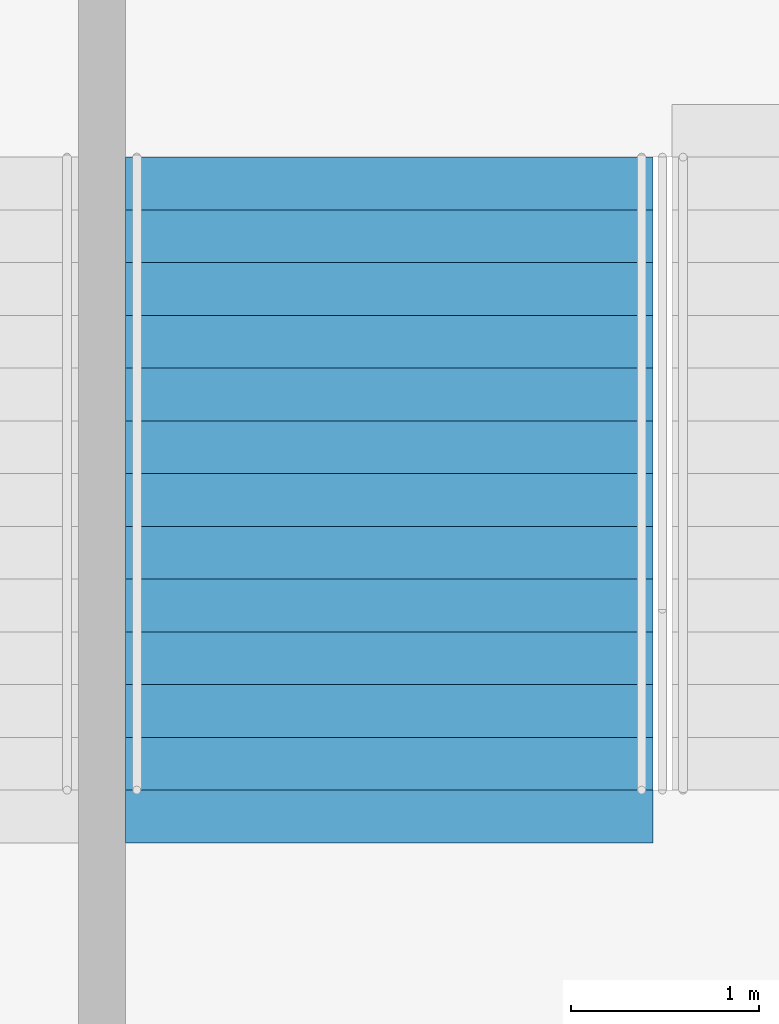
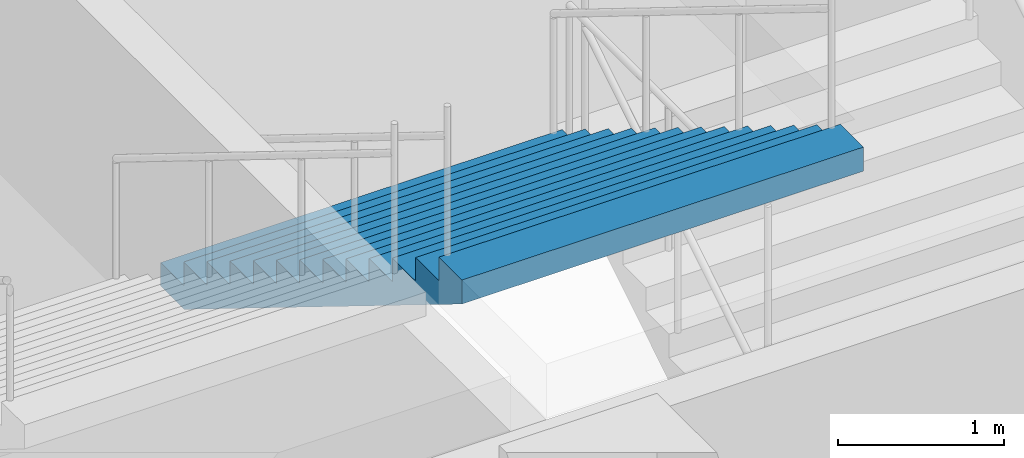
# One storey, part 138 of 175: 1 stair flight, 1 element without a shape of its own.
"""IFC4 building model written with IfcOpenShell, lengths in metres."""

from ifc_helpers import new_model, si_unit, direction, frame, origin, place, context, subcontext, project, spatial, faceted_brep, material, type_object, element, aggregate, save


model = new_model("IFC4")

# Units and contexts
model_context = context("Model", 3, precision=1e-05, world=origin(), true_north=direction((0.0, 1.0)))
body_context = subcontext(model_context, "Body", "Model", "MODEL_VIEW")
ifc_project = project(units=[si_unit("LENGTHUNIT", "METRE"), si_unit("AREAUNIT", "SQUARE_METRE"), si_unit("VOLUMEUNIT", "CUBIC_METRE"), si_unit("PLANEANGLEUNIT", "RADIAN"), si_unit("MASSUNIT", "GRAM", prefix="KILO")], contexts=[model_context])

# Site, building, storey
site_placement = place(None, origin())
site = spatial("IfcSite", under=ifc_project, at=site_placement, CompositionType="ELEMENT")
building_placement = place(site_placement, origin())
building = spatial("IfcBuilding", under=site, at=building_placement, Name="Ogive Plaza Stadium", CompositionType="ELEMENT")
storey_placement = place(building_placement, origin())
storey = spatial("IfcBuildingStorey", under=building, at=storey_placement, Name="L00", CompositionType="ELEMENT", Elevation=0.0)

# Stair, stair flight
ifc_material_1 = material(Name="Concrete C40/50", Category="concrete")
stair_type = type_object("IfcStairType", Name="Exit stair", PredefinedType="STRAIGHT_RUN_STAIR", material=ifc_material_1)
stair_placement = place(storey_placement, origin())
stair = element("IfcStair", 1, at=stair_placement, inside=storey, type_object=stair_type, Name="Exit stair ST36A L00 to L01", PredefinedType="STRAIGHT_RUN_STAIR")
ifc_material_2 = material(Name="Concrete C40/50", Category="concrete")
stair_flight_type = type_object("IfcStairFlightType", Name="Exit stair flight", PredefinedType="STRAIGHT", material=ifc_material_2)
stair_flight_placement = place(storey_placement, frame((21.925048828125, 98.2099609375, 2.25), z_axis=(0.0, 0.0, 1.0), x_axis=(0.0, -1.0, 0.0)))
stair_flight = element("IfcStairFlight", 2, at=stair_flight_placement, type_object=stair_flight_type, Name="ST36A flight 2", NumberOfRisers=13, NumberOfTreads=12, PredefinedType="STRAIGHT", RiserHeight=0.173076923, TreadLength=0.28, context=body_context, shape_type="Brep", body=[
    faceted_brep([(0.28515625, -1.39990234375, 0.0), (3.639892578125, -1.39990234375, 2.07373046875), (3.639892578125, -1.39990234375, 2.25), (3.360107421875, -1.39990234375, 2.25), (3.360107421875, -1.39990234375, 2.076904296875), (3.080078125, -1.39990234375, 2.076904296875), (3.080078125, -1.39990234375, 1.90380859375), (2.800048828125, -1.39990234375, 1.90380859375), (2.800048828125, -1.39990234375, 1.730712890625), (2.52001953125, -1.39990234375, 1.730712890625), (2.52001953125, -1.39990234375, 1.5576171875), (2.239990234375, -1.39990234375, 1.5576171875), (2.239990234375, -1.39990234375, 1.384521484375), (1.9599609375, -1.39990234375, 1.384521484375), (1.9599609375, -1.39990234375, 1.21142578125), (1.679931640625, -1.39990234375, 1.21142578125), (1.679931640625, -1.39990234375, 1.03857421875), (1.39990234375, -1.39990234375, 1.03857421875), (1.39990234375, -1.39990234375, 0.865478515625), (1.1201171875, -1.39990234375, 0.865478515625), (1.1201171875, -1.39990234375, 0.6923828125), (0.840087890625, -1.39990234375, 0.6923828125), (0.840087890625, -1.39990234375, 0.519287109375), (0.56005859375, -1.39990234375, 0.519287109375), (0.56005859375, -1.39990234375, 0.34619140625), (0.280029296875, -1.39990234375, 0.34619140625), (0.280029296875, -1.39990234375, 0.173095703125), (0.0, -1.39990234375, 0.173095703125), (0.0, -1.39990234375, 0.0), (0.0, 1.39990234375, 0.0), (0.0, 1.39990234375, 0.173095703125), (0.280029296875, 1.39990234375, 0.173095703125), (0.280029296875, 1.39990234375, 0.34619140625), (0.56005859375, 1.39990234375, 0.34619140625), (0.56005859375, 1.39990234375, 0.519287109375), (0.840087890625, 1.39990234375, 0.519287109375), (0.840087890625, 1.39990234375, 0.6923828125), (1.1201171875, 1.39990234375, 0.6923828125), (1.1201171875, 1.39990234375, 0.865478515625), (1.39990234375, 1.39990234375, 0.865478515625), (1.39990234375, 1.39990234375, 1.03857421875), (1.679931640625, 1.39990234375, 1.03857421875), (1.679931640625, 1.39990234375, 1.21142578125), (1.9599609375, 1.39990234375, 1.21142578125), (1.9599609375, 1.39990234375, 1.384521484375), (2.239990234375, 1.39990234375, 1.384521484375), (2.239990234375, 1.39990234375, 1.5576171875), (2.52001953125, 1.39990234375, 1.5576171875), (2.52001953125, 1.39990234375, 1.730712890625), (2.800048828125, 1.39990234375, 1.730712890625), (2.800048828125, 1.39990234375, 1.90380859375), (3.080078125, 1.39990234375, 1.90380859375), (3.080078125, 1.39990234375, 2.076904296875), (3.360107421875, 1.39990234375, 2.076904296875), (3.360107421875, 1.39990234375, 2.25), (3.639892578125, 1.39990234375, 2.25), (3.639892578125, 1.39990234375, 2.07373046875), (0.28515625, 1.39990234375, 0.0), (0.28515625, -1.0888671875, 0.0), (3.639892578125, -1.0888671875, 2.07373046875), (0.28515625, -0.77783203125, 0.0), (3.639892578125, -0.77783203125, 2.07373046875), (0.28515625, -0.466796875, 0.0), (3.639892578125, -0.466796875, 2.07373046875), (0.28515625, -0.155517578125, 0.0), (3.639892578125, -0.155517578125, 2.07373046875), (0.28515625, 0.155517578125, 0.0), (3.639892578125, 0.155517578125, 2.07373046875), (0.28515625, 0.466796875, 0.0), (3.639892578125, 0.466796875, 2.07373046875), (0.28515625, 0.77783203125, 0.0), (3.639892578125, 0.77783203125, 2.07373046875), (0.28515625, 1.0888671875, 0.0), (3.639892578125, 1.0888671875, 2.07373046875), (3.639892578125, -1.0888671875, 2.25), (3.639892578125, -0.77783203125, 2.25), (3.639892578125, -0.466796875, 2.25), (3.639892578125, -0.155517578125, 2.25), (3.639892578125, 0.155517578125, 2.25), (3.639892578125, 0.466796875, 2.25), (3.639892578125, 0.77783203125, 2.25), (3.639892578125, 1.0888671875, 2.25), (3.360107421875, -1.0888671875, 2.25), (3.360107421875, -0.77783203125, 2.25), (3.360107421875, -0.466796875, 2.25), (3.360107421875, -0.155517578125, 2.25), (3.360107421875, 0.155517578125, 2.25), (3.360107421875, 0.466796875, 2.25), (3.360107421875, 0.77783203125, 2.25), (3.360107421875, 1.0888671875, 2.25), (3.360107421875, -1.0888671875, 2.076904296875), (3.360107421875, -0.77783203125, 2.076904296875), (3.360107421875, -0.466796875, 2.076904296875), (3.360107421875, -0.155517578125, 2.076904296875), (3.360107421875, 0.155517578125, 2.076904296875), (3.360107421875, 0.466796875, 2.076904296875), (3.360107421875, 0.77783203125, 2.076904296875), (3.360107421875, 1.0888671875, 2.076904296875), (3.080078125, -1.0888671875, 2.076904296875), (3.080078125, -0.77783203125, 2.076904296875), (3.080078125, -0.466796875, 2.076904296875), (3.080078125, -0.155517578125, 2.076904296875), (3.080078125, 0.155517578125, 2.076904296875), (3.080078125, 0.466796875, 2.076904296875), (3.080078125, 0.77783203125, 2.076904296875), (3.080078125, 1.0888671875, 2.076904296875), (3.080078125, -1.0888671875, 1.90380859375), (3.080078125, -0.77783203125, 1.90380859375), (3.080078125, -0.466796875, 1.90380859375), (3.080078125, -0.155517578125, 1.90380859375), (3.080078125, 0.155517578125, 1.90380859375), (3.080078125, 0.466796875, 1.90380859375), (3.080078125, 0.77783203125, 1.90380859375), (3.080078125, 1.0888671875, 1.90380859375), (2.800048828125, -1.0888671875, 1.90380859375), (2.800048828125, -0.77783203125, 1.90380859375), (2.800048828125, -0.466796875, 1.90380859375), (2.800048828125, -0.155517578125, 1.90380859375), (2.800048828125, 0.155517578125, 1.90380859375), (2.800048828125, 0.466796875, 1.90380859375), (2.800048828125, 0.77783203125, 1.90380859375), (2.800048828125, 1.0888671875, 1.90380859375), (2.800048828125, -1.0888671875, 1.730712890625), (2.800048828125, -0.77783203125, 1.730712890625), (2.800048828125, -0.466796875, 1.730712890625), (2.800048828125, -0.155517578125, 1.730712890625), (2.800048828125, 0.155517578125, 1.730712890625), (2.800048828125, 0.466796875, 1.730712890625), (2.800048828125, 0.77783203125, 1.730712890625), (2.800048828125, 1.0888671875, 1.730712890625), (2.52001953125, -1.0888671875, 1.730712890625), (2.52001953125, -0.77783203125, 1.730712890625), (2.52001953125, -0.466796875, 1.730712890625), (2.52001953125, -0.155517578125, 1.730712890625), (2.52001953125, 0.155517578125, 1.730712890625), (2.52001953125, 0.466796875, 1.730712890625), (2.52001953125, 0.77783203125, 1.730712890625), (2.52001953125, 1.0888671875, 1.730712890625), (2.52001953125, -1.0888671875, 1.5576171875), (2.52001953125, -0.77783203125, 1.5576171875), (2.52001953125, -0.466796875, 1.5576171875), (2.52001953125, -0.155517578125, 1.5576171875), (2.52001953125, 0.155517578125, 1.5576171875), (2.52001953125, 0.466796875, 1.5576171875), (2.52001953125, 0.77783203125, 1.5576171875), (2.52001953125, 1.0888671875, 1.5576171875), (2.239990234375, -1.0888671875, 1.5576171875), (2.239990234375, -0.77783203125, 1.5576171875), (2.239990234375, -0.466796875, 1.5576171875), (2.239990234375, -0.155517578125, 1.5576171875), (2.239990234375, 0.155517578125, 1.5576171875), (2.239990234375, 0.466796875, 1.5576171875), (2.239990234375, 0.77783203125, 1.5576171875), (2.239990234375, 1.0888671875, 1.5576171875), (2.239990234375, -1.0888671875, 1.384521484375), (2.239990234375, -0.77783203125, 1.384521484375), (2.239990234375, -0.466796875, 1.384521484375), (2.239990234375, -0.155517578125, 1.384521484375), (2.239990234375, 0.155517578125, 1.384521484375), (2.239990234375, 0.466796875, 1.384521484375), (2.239990234375, 0.77783203125, 1.384521484375), (2.239990234375, 1.0888671875, 1.384521484375), (1.9599609375, -1.0888671875, 1.384521484375), (1.9599609375, -0.77783203125, 1.384521484375), (1.9599609375, -0.466796875, 1.384521484375), (1.9599609375, -0.155517578125, 1.384521484375), (1.9599609375, 0.155517578125, 1.384521484375), (1.9599609375, 0.466796875, 1.384521484375), (1.9599609375, 0.77783203125, 1.384521484375), (1.9599609375, 1.0888671875, 1.384521484375), (1.9599609375, -1.0888671875, 1.21142578125), (1.9599609375, -0.77783203125, 1.21142578125), (1.9599609375, -0.466796875, 1.21142578125), (1.9599609375, -0.155517578125, 1.21142578125), (1.9599609375, 0.155517578125, 1.21142578125), (1.9599609375, 0.466796875, 1.21142578125), (1.9599609375, 0.77783203125, 1.21142578125), (1.9599609375, 1.0888671875, 1.21142578125), (1.679931640625, -1.0888671875, 1.21142578125), (1.679931640625, -0.77783203125, 1.21142578125), (1.679931640625, -0.466796875, 1.21142578125), (1.679931640625, -0.155517578125, 1.21142578125), (1.679931640625, 0.155517578125, 1.21142578125), (1.679931640625, 0.466796875, 1.21142578125), (1.679931640625, 0.77783203125, 1.21142578125), (1.679931640625, 1.0888671875, 1.21142578125), (1.679931640625, -1.0888671875, 1.03857421875), (1.679931640625, -0.77783203125, 1.03857421875), (1.679931640625, -0.466796875, 1.03857421875), (1.679931640625, -0.155517578125, 1.03857421875), (1.679931640625, 0.155517578125, 1.03857421875), (1.679931640625, 0.466796875, 1.03857421875), (1.679931640625, 0.77783203125, 1.03857421875), (1.679931640625, 1.0888671875, 1.03857421875), (1.39990234375, -1.0888671875, 1.03857421875), (1.39990234375, -0.77783203125, 1.03857421875), (1.39990234375, -0.466796875, 1.03857421875), (1.39990234375, -0.155517578125, 1.03857421875), (1.39990234375, 0.155517578125, 1.03857421875), (1.39990234375, 0.466796875, 1.03857421875), (1.39990234375, 0.77783203125, 1.03857421875), (1.39990234375, 1.0888671875, 1.03857421875), (1.39990234375, -1.0888671875, 0.865478515625), (1.39990234375, -0.77783203125, 0.865478515625), (1.39990234375, -0.466796875, 0.865478515625), (1.39990234375, -0.155517578125, 0.865478515625), (1.39990234375, 0.155517578125, 0.865478515625), (1.39990234375, 0.466796875, 0.865478515625), (1.39990234375, 0.77783203125, 0.865478515625), (1.39990234375, 1.0888671875, 0.865478515625), (1.1201171875, -1.0888671875, 0.865478515625), (1.1201171875, -0.77783203125, 0.865478515625), (1.1201171875, -0.466796875, 0.865478515625), (1.1201171875, -0.155517578125, 0.865478515625), (1.1201171875, 0.155517578125, 0.865478515625), (1.1201171875, 0.466796875, 0.865478515625), (1.1201171875, 0.77783203125, 0.865478515625), (1.1201171875, 1.0888671875, 0.865478515625), (1.1201171875, -1.0888671875, 0.6923828125), (1.1201171875, -0.77783203125, 0.6923828125), (1.1201171875, -0.466796875, 0.6923828125), (1.1201171875, -0.155517578125, 0.6923828125), (1.1201171875, 0.155517578125, 0.6923828125), (1.1201171875, 0.466796875, 0.6923828125), (1.1201171875, 0.77783203125, 0.6923828125), (1.1201171875, 1.0888671875, 0.6923828125), (0.840087890625, -1.0888671875, 0.6923828125), (0.840087890625, -0.77783203125, 0.6923828125), (0.840087890625, -0.466796875, 0.6923828125), (0.840087890625, -0.155517578125, 0.6923828125), (0.840087890625, 0.155517578125, 0.6923828125), (0.840087890625, 0.466796875, 0.6923828125), (0.840087890625, 0.77783203125, 0.6923828125), (0.840087890625, 1.0888671875, 0.6923828125), (0.840087890625, -1.0888671875, 0.519287109375), (0.840087890625, -0.77783203125, 0.519287109375), (0.840087890625, -0.466796875, 0.519287109375), (0.840087890625, -0.155517578125, 0.519287109375), (0.840087890625, 0.155517578125, 0.519287109375), (0.840087890625, 0.466796875, 0.519287109375), (0.840087890625, 0.77783203125, 0.519287109375), (0.840087890625, 1.0888671875, 0.519287109375), (0.56005859375, -1.0888671875, 0.519287109375), (0.56005859375, -0.77783203125, 0.519287109375), (0.56005859375, -0.466796875, 0.519287109375), (0.56005859375, -0.155517578125, 0.519287109375), (0.56005859375, 0.155517578125, 0.519287109375), (0.56005859375, 0.466796875, 0.519287109375), (0.56005859375, 0.77783203125, 0.519287109375), (0.56005859375, 1.0888671875, 0.519287109375), (0.56005859375, -1.0888671875, 0.34619140625), (0.56005859375, -0.77783203125, 0.34619140625), (0.56005859375, -0.466796875, 0.34619140625), (0.56005859375, -0.155517578125, 0.34619140625), (0.56005859375, 0.155517578125, 0.34619140625), (0.56005859375, 0.466796875, 0.34619140625), (0.56005859375, 0.77783203125, 0.34619140625), (0.56005859375, 1.0888671875, 0.34619140625), (0.280029296875, -1.0888671875, 0.34619140625), (0.280029296875, -0.77783203125, 0.34619140625), (0.280029296875, -0.466796875, 0.34619140625), (0.280029296875, -0.155517578125, 0.34619140625), (0.280029296875, 0.155517578125, 0.34619140625), (0.280029296875, 0.466796875, 0.34619140625), (0.280029296875, 0.77783203125, 0.34619140625), (0.280029296875, 1.0888671875, 0.34619140625), (0.280029296875, -1.0888671875, 0.173095703125), (0.280029296875, -0.77783203125, 0.173095703125), (0.280029296875, -0.466796875, 0.173095703125), (0.280029296875, -0.155517578125, 0.173095703125), (0.280029296875, 0.155517578125, 0.173095703125), (0.280029296875, 0.466796875, 0.173095703125), (0.280029296875, 0.77783203125, 0.173095703125), (0.280029296875, 1.0888671875, 0.173095703125), (0.0, -1.0888671875, 0.173095703125), (0.0, -0.77783203125, 0.173095703125), (0.0, -0.466796875, 0.173095703125), (0.0, -0.155517578125, 0.173095703125), (0.0, 0.155517578125, 0.173095703125), (0.0, 0.466796875, 0.173095703125), (0.0, 0.77783203125, 0.173095703125), (0.0, 1.0888671875, 0.173095703125), (0.0, -1.0888671875, 0.0), (0.0, -0.77783203125, 0.0), (0.0, -0.466796875, 0.0), (0.0, -0.155517578125, 0.0), (0.0, 0.155517578125, 0.0), (0.0, 0.466796875, 0.0), (0.0, 0.77783203125, 0.0), (0.0, 1.0888671875, 0.0)], [[[0, 1, 2, 3, 4, 5, 6, 7, 8, 9, 10, 11, 12, 13, 14, 15, 16, 17, 18, 19, 20, 21, 22, 23, 24, 25, 26, 27, 28]], [[29, 30, 31, 32, 33, 34, 35, 36, 37, 38, 39, 40, 41, 42, 43, 44, 45, 46, 47, 48, 49, 50, 51, 52, 53, 54, 55, 56, 57]], [[0, 58, 59, 1]], [[58, 60, 61, 59]], [[60, 62, 63, 61]], [[62, 64, 65, 63]], [[64, 66, 67, 65]], [[66, 68, 69, 67]], [[68, 70, 71, 69]], [[70, 72, 73, 71]], [[72, 57, 56, 73]], [[1, 59, 74, 2]], [[59, 61, 75, 74]], [[61, 63, 76, 75]], [[63, 65, 77, 76]], [[65, 67, 78, 77]], [[67, 69, 79, 78]], [[69, 71, 80, 79]], [[71, 73, 81, 80]], [[73, 56, 55, 81]], [[2, 74, 82, 3]], [[74, 75, 83, 82]], [[75, 76, 84, 83]], [[76, 77, 85, 84]], [[77, 78, 86, 85]], [[78, 79, 87, 86]], [[79, 80, 88, 87]], [[80, 81, 89, 88]], [[81, 55, 54, 89]], [[3, 82, 90, 4]], [[82, 83, 91, 90]], [[83, 84, 92, 91]], [[84, 85, 93, 92]], [[85, 86, 94, 93]], [[86, 87, 95, 94]], [[87, 88, 96, 95]], [[88, 89, 97, 96]], [[89, 54, 53, 97]], [[4, 90, 98, 5]], [[90, 91, 99, 98]], [[91, 92, 100, 99]], [[92, 93, 101, 100]], [[93, 94, 102, 101]], [[94, 95, 103, 102]], [[95, 96, 104, 103]], [[96, 97, 105, 104]], [[97, 53, 52, 105]], [[5, 98, 106, 6]], [[98, 99, 107, 106]], [[99, 100, 108, 107]], [[100, 101, 109, 108]], [[101, 102, 110, 109]], [[102, 103, 111, 110]], [[103, 104, 112, 111]], [[104, 105, 113, 112]], [[105, 52, 51, 113]], [[6, 106, 114, 7]], [[106, 107, 115, 114]], [[107, 108, 116, 115]], [[108, 109, 117, 116]], [[109, 110, 118, 117]], [[110, 111, 119, 118]], [[111, 112, 120, 119]], [[112, 113, 121, 120]], [[113, 51, 50, 121]], [[7, 114, 122, 8]], [[114, 115, 123, 122]], [[115, 116, 124, 123]], [[116, 117, 125, 124]], [[117, 118, 126, 125]], [[118, 119, 127, 126]], [[119, 120, 128, 127]], [[120, 121, 129, 128]], [[121, 50, 49, 129]], [[8, 122, 130, 9]], [[122, 123, 131, 130]], [[123, 124, 132, 131]], [[124, 125, 133, 132]], [[125, 126, 134, 133]], [[126, 127, 135, 134]], [[127, 128, 136, 135]], [[128, 129, 137, 136]], [[129, 49, 48, 137]], [[9, 130, 138, 10]], [[130, 131, 139, 138]], [[131, 132, 140, 139]], [[132, 133, 141, 140]], [[133, 134, 142, 141]], [[134, 135, 143, 142]], [[135, 136, 144, 143]], [[136, 137, 145, 144]], [[137, 48, 47, 145]], [[10, 138, 146, 11]], [[138, 139, 147, 146]], [[139, 140, 148, 147]], [[140, 141, 149, 148]], [[141, 142, 150, 149]], [[142, 143, 151, 150]], [[143, 144, 152, 151]], [[144, 145, 153, 152]], [[145, 47, 46, 153]], [[11, 146, 154, 12]], [[146, 147, 155, 154]], [[147, 148, 156, 155]], [[148, 149, 157, 156]], [[149, 150, 158, 157]], [[150, 151, 159, 158]], [[151, 152, 160, 159]], [[152, 153, 161, 160]], [[153, 46, 45, 161]], [[12, 154, 162, 13]], [[154, 155, 163, 162]], [[155, 156, 164, 163]], [[156, 157, 165, 164]], [[157, 158, 166, 165]], [[158, 159, 167, 166]], [[159, 160, 168, 167]], [[160, 161, 169, 168]], [[161, 45, 44, 169]], [[13, 162, 170, 14]], [[162, 163, 171, 170]], [[163, 164, 172, 171]], [[164, 165, 173, 172]], [[165, 166, 174, 173]], [[166, 167, 175, 174]], [[167, 168, 176, 175]], [[168, 169, 177, 176]], [[169, 44, 43, 177]], [[14, 170, 178, 15]], [[170, 171, 179, 178]], [[171, 172, 180, 179]], [[172, 173, 181, 180]], [[173, 174, 182, 181]], [[174, 175, 183, 182]], [[175, 176, 184, 183]], [[176, 177, 185, 184]], [[177, 43, 42, 185]], [[15, 178, 186, 16]], [[178, 179, 187, 186]], [[179, 180, 188, 187]], [[180, 181, 189, 188]], [[181, 182, 190, 189]], [[182, 183, 191, 190]], [[183, 184, 192, 191]], [[184, 185, 193, 192]], [[185, 42, 41, 193]], [[16, 186, 194, 17]], [[186, 187, 195, 194]], [[187, 188, 196, 195]], [[188, 189, 197, 196]], [[189, 190, 198, 197]], [[190, 191, 199, 198]], [[191, 192, 200, 199]], [[192, 193, 201, 200]], [[193, 41, 40, 201]], [[17, 194, 202, 18]], [[194, 195, 203, 202]], [[195, 196, 204, 203]], [[196, 197, 205, 204]], [[197, 198, 206, 205]], [[198, 199, 207, 206]], [[199, 200, 208, 207]], [[200, 201, 209, 208]], [[201, 40, 39, 209]], [[18, 202, 210, 19]], [[202, 203, 211, 210]], [[203, 204, 212, 211]], [[204, 205, 213, 212]], [[205, 206, 214, 213]], [[206, 207, 215, 214]], [[207, 208, 216, 215]], [[208, 209, 217, 216]], [[209, 39, 38, 217]], [[19, 210, 218, 20]], [[210, 211, 219, 218]], [[211, 212, 220, 219]], [[212, 213, 221, 220]], [[213, 214, 222, 221]], [[214, 215, 223, 222]], [[215, 216, 224, 223]], [[216, 217, 225, 224]], [[217, 38, 37, 225]], [[20, 218, 226, 21]], [[218, 219, 227, 226]], [[219, 220, 228, 227]], [[220, 221, 229, 228]], [[221, 222, 230, 229]], [[222, 223, 231, 230]], [[223, 224, 232, 231]], [[224, 225, 233, 232]], [[225, 37, 36, 233]], [[21, 226, 234, 22]], [[226, 227, 235, 234]], [[227, 228, 236, 235]], [[228, 229, 237, 236]], [[229, 230, 238, 237]], [[230, 231, 239, 238]], [[231, 232, 240, 239]], [[232, 233, 241, 240]], [[233, 36, 35, 241]], [[22, 234, 242, 23]], [[234, 235, 243, 242]], [[235, 236, 244, 243]], [[236, 237, 245, 244]], [[237, 238, 246, 245]], [[238, 239, 247, 246]], [[239, 240, 248, 247]], [[240, 241, 249, 248]], [[241, 35, 34, 249]], [[23, 242, 250, 24]], [[242, 243, 251, 250]], [[243, 244, 252, 251]], [[244, 245, 253, 252]], [[245, 246, 254, 253]], [[246, 247, 255, 254]], [[247, 248, 256, 255]], [[248, 249, 257, 256]], [[249, 34, 33, 257]], [[24, 250, 258, 25]], [[250, 251, 259, 258]], [[251, 252, 260, 259]], [[252, 253, 261, 260]], [[253, 254, 262, 261]], [[254, 255, 263, 262]], [[255, 256, 264, 263]], [[256, 257, 265, 264]], [[257, 33, 32, 265]], [[25, 258, 266, 26]], [[258, 259, 267, 266]], [[259, 260, 268, 267]], [[260, 261, 269, 268]], [[261, 262, 270, 269]], [[262, 263, 271, 270]], [[263, 264, 272, 271]], [[264, 265, 273, 272]], [[265, 32, 31, 273]], [[26, 266, 274, 27]], [[266, 267, 275, 274]], [[267, 268, 276, 275]], [[268, 269, 277, 276]], [[269, 270, 278, 277]], [[270, 271, 279, 278]], [[271, 272, 280, 279]], [[272, 273, 281, 280]], [[273, 31, 30, 281]], [[27, 274, 282, 28]], [[274, 275, 283, 282]], [[275, 276, 284, 283]], [[276, 277, 285, 284]], [[277, 278, 286, 285]], [[278, 279, 287, 286]], [[279, 280, 288, 287]], [[280, 281, 289, 288]], [[281, 30, 29, 289]], [[28, 282, 58, 0]], [[282, 283, 60, 58]], [[283, 284, 62, 60]], [[284, 285, 64, 62]], [[285, 286, 66, 64]], [[286, 287, 68, 66]], [[287, 288, 70, 68]], [[288, 289, 72, 70]], [[289, 29, 57, 72]]]),
])
aggregate(stair, [stair_flight])

save(model, "model.ifc")
